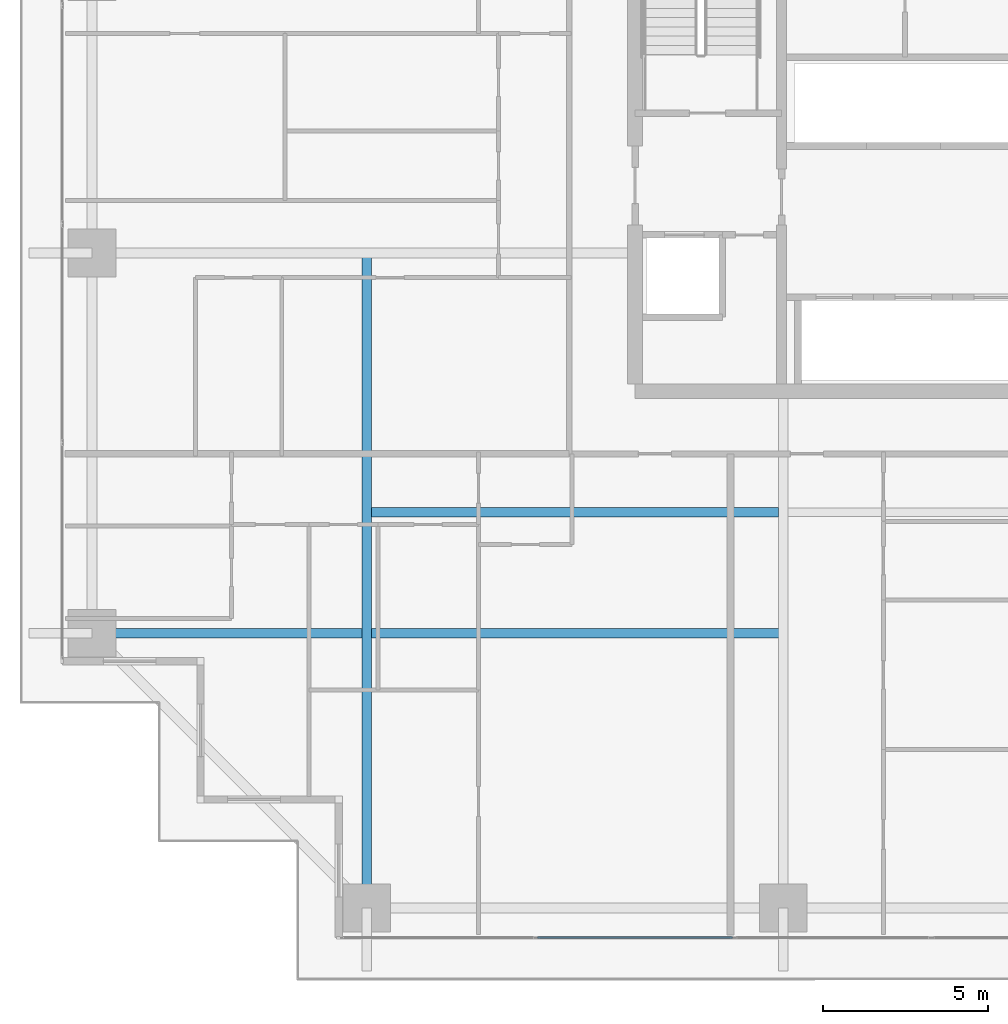
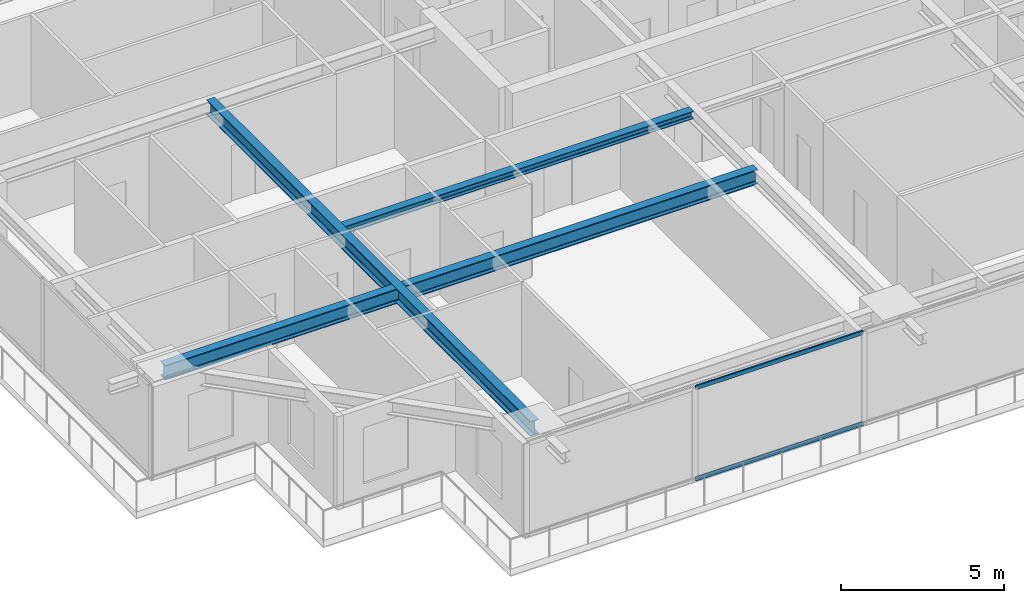
# One storey, part 4 of 37: 3 beams, 2 members, 1 element without a shape of its own.
"""IFC4 building model written with IfcOpenShell, lengths in metres."""

from ifc_helpers import new_model, si_unit, direction, frame, origin, origin_2d, place, context, subcontext, project, spatial, hollow_rectangle, i_section, extrude, source, transform, mapped, material, layer, layer_set, material_profile, profile_set, type_object, element, aggregate, save


model = new_model("IFC4")

# Units and contexts
model_context = context("Model", 3, precision=1e-05, world=origin(), true_north=direction((0.0, 1.0)))
body_context = subcontext(model_context, "Body", "Model", "MODEL_VIEW")
ifc_project = project(units=[si_unit("LENGTHUNIT", "METRE"), si_unit("AREAUNIT", "SQUARE_METRE"), si_unit("VOLUMEUNIT", "CUBIC_METRE"), si_unit("PLANEANGLEUNIT", "RADIAN"), si_unit("MASSUNIT", "GRAM", prefix="KILO")], contexts=[model_context])

# Site, building, storey
site_placement = place(None, origin())
site = spatial("IfcSite", under=ifc_project, at=site_placement, CompositionType="ELEMENT")
building_placement = place(site_placement, origin())
building = spatial("IfcBuilding", under=site, at=building_placement, Name="Serunith Strait Residences", CompositionType="ELEMENT")
storey_placement = place(building_placement, frame((0.0, 0.0, 34.199951171875)))
storey = spatial("IfcBuildingStorey", under=building, at=storey_placement, Name="L07", CompositionType="ELEMENT", Elevation=34.199951171875)

# Beams
ifc_material_1 = material(Name="Steel S355J2", Category="steel")
ifc_material_profile_1 = material_profile(ifc_material_1, i_section(OverallWidth=0.300048828125, OverallDepth=0.550048828125, WebThickness=0.014892578125, FlangeThickness=0.029052734375, FilletRadius=0.027099609375, at=origin_2d()), Name="HEB 550")
ifc_profile_set_1 = profile_set([ifc_material_profile_1], Name="Steel S355J2")
beam_type_1 = type_object("IfcBeamType", Name="BM-HEB550", PredefinedType="BEAM", material=ifc_profile_set_1)
shared_shape_1 = source(origin(), body_context, "Body", "SweptSolid", [
    extrude(i_section(OverallWidth=0.300048828125, OverallDepth=0.550048828125, WebThickness=0.014892578125, FlangeThickness=0.029052734375, FilletRadius=0.027099609375, at=origin_2d()), origin(), (0.0, 0.0, 1.0), 19.89990234375),
])
beam_1_placement = place(storey_placement, frame((15.25, 21.0, 3.212158203125), z_axis=(0.0, -1.0, 0.0), x_axis=(1.0, 0.0, 0.0)))
element("IfcBeam", 1, at=beam_1_placement, inside=storey, type_object=beam_type_1, Name="L07 Orthogonal Corner Girder TC-S1", PredefinedType="BEAM", context=body_context, shape_type="MappedRepresentation", body=[
    mapped(shared_shape_1, transform((0.0, 0.0, 0.0), scale=1.0)),
])
shared_shape_2 = source(origin(), body_context, "Body", "SweptSolid", [
    extrude(i_section(OverallWidth=0.300048828125, OverallDepth=0.550048828125, WebThickness=0.014892578125, FlangeThickness=0.029052734375, FilletRadius=0.027099609375, at=origin_2d()), origin(), (0.0, 0.0, 1.0), 21.0),
])
beam_2_placement = place(storey_placement, frame((27.89990234375, 9.449951171875, 3.212158203125), z_axis=(-1.0, 0.0, 0.0), x_axis=(0.0, -1.0, 0.0)))
element("IfcBeam", 2, at=beam_2_placement, inside=storey, type_object=beam_type_1, Name="L07 Orthogonal Corner Girder TC-W1", PredefinedType="BEAM", context=body_context, shape_type="MappedRepresentation", body=[
    mapped(shared_shape_2, transform((0.0, 0.0, 0.0), scale=1.0)),
])
ifc_material_profile_2 = material_profile(ifc_material_1, i_section(OverallWidth=0.280029296875, OverallDepth=0.280029296875, WebThickness=0.010498046875, FlangeThickness=0.01806640625, FilletRadius=0.02392578125, at=origin_2d()), Name="HEB 280")
ifc_profile_set_2 = profile_set([ifc_material_profile_2], Name="Steel S355J2")
beam_type_2 = type_object("IfcBeamType", Name="BM-HEB280", PredefinedType="JOIST", material=ifc_profile_set_2)
shared_shape_3 = source(origin(), body_context, "Body", "SweptSolid", [
    extrude(i_section(OverallWidth=0.280029296875, OverallDepth=0.280029296875, WebThickness=0.010498046875, FlangeThickness=0.01806640625, FilletRadius=0.02392578125, at=origin_2d()), origin(), (0.0, 0.0, 1.0), 12.35009765625),
])
beam_3_placement = place(storey_placement, frame((15.39990234375, 13.125, 3.34716796875), z_axis=(1.0, 0.0, 0.0), x_axis=(0.0, 1.0, 0.0)))
element("IfcBeam", 3, at=beam_3_placement, inside=storey, type_object=beam_type_2, Name="L07 Composite Floor Joist 01", PredefinedType="JOIST", context=body_context, shape_type="MappedRepresentation", body=[
    mapped(shared_shape_3, transform((0.0, 0.0, 0.0), scale=1.0)),
])

# Curtain wall, members
ifc_material_2 = material(Name="Pale-Champagne Anodised Aluminium", Category="aluminium")
ifc_layer = layer(ifc_material_2, 0.199951171875, Name="Pale-Champagne Anodised Aluminium")
ifc_layer_set = layer_set([ifc_layer], Name="Pale-Champagne Anodised Aluminium")
curtain_wall_type = type_object("IfcCurtainWallType", Name="CW-SYS1", PredefinedType="NOTDEFINED", material=ifc_layer_set)
curtain_wall_placement = place(storey_placement, origin())
curtain_wall = element("IfcCurtainWall", 4, at=curtain_wall_placement, inside=storey, type_object=curtain_wall_type, Name="L07 S Unitised Fritted Curtain Wall", PredefinedType="NOTDEFINED")
ifc_material_profile_3 = material_profile(ifc_material_2, hollow_rectangle(XDim=0.06005859375, YDim=0.159912109375, WallThickness=0.00341796875, InnerFilletRadius=0.00537109375, OuterFilletRadius=0.0087890625, at=origin_2d()), Name="ALU 160x60x3.5")
ifc_profile_set_3 = profile_set([ifc_material_profile_3], Name="Pale-Champagne Anodised Aluminium")
member_type = type_object("IfcMemberType", Name="CW-SYS1-TRAN", PredefinedType="USERDEFINED", material=ifc_profile_set_3)
shared_shape_4 = source(origin(), body_context, "Body", "SweptSolid", [
    extrude(hollow_rectangle(XDim=0.06005859375, YDim=0.159912109375, WallThickness=0.00341796875, InnerFilletRadius=0.00537109375, OuterFilletRadius=0.0087890625, at=origin_2d()), origin(), (0.0, 0.0, 1.0), 5.929931640625),
])
member_1_placement = place(storey_placement, frame((20.43505859375, 0.199951171875, 0.030029296875), z_axis=(1.0, 0.0, 0.0), x_axis=(0.0, 1.0, 0.0)))
member_1 = element("IfcMember", 5, at=member_1_placement, type_object=member_type, Name="CW-1 transom 2.1", ObjectType="TRANSOM", PredefinedType="USERDEFINED", context=body_context, shape_type="MappedRepresentation", body=[
    mapped(shared_shape_4, transform((0.0, 0.0, 0.0), scale=1.0)),
])
member_2_placement = place(storey_placement, frame((20.43505859375, 0.199951171875, 3.445068359375), z_axis=(1.0, 0.0, 0.0), x_axis=(0.0, 1.0, 0.0)))
member_2 = element("IfcMember", 6, at=member_2_placement, type_object=member_type, Name="CW-1 transom 2.2", ObjectType="TRANSOM", PredefinedType="USERDEFINED", context=body_context, shape_type="MappedRepresentation", body=[
    mapped(shared_shape_4, transform((0.0, 0.0, 0.0), scale=1.0)),
])
aggregate(curtain_wall, [member_1, member_2])

save(model, "model.ifc")
